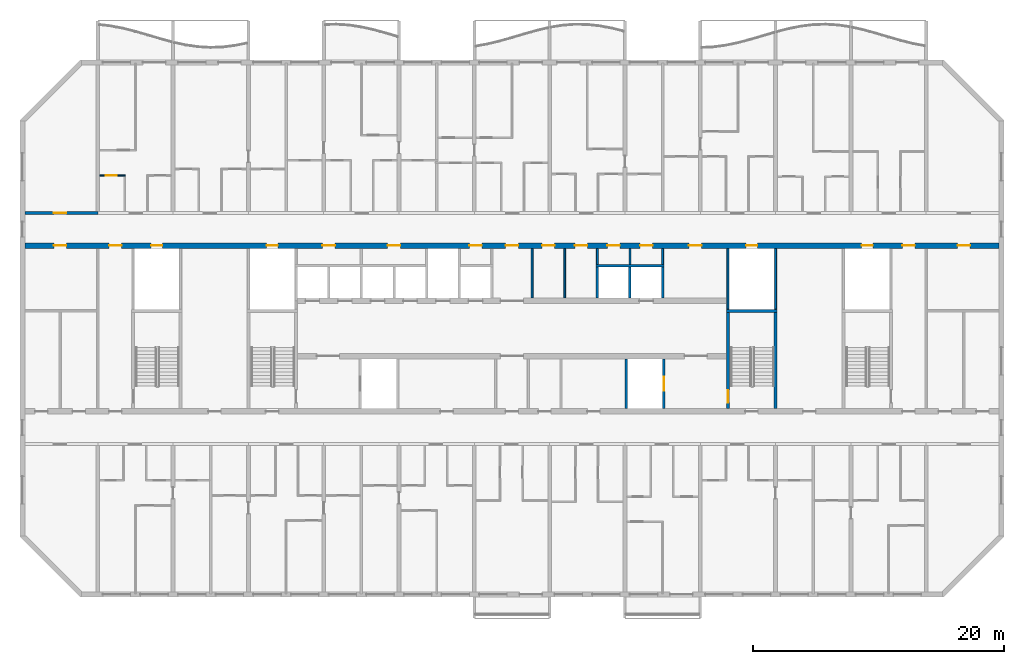
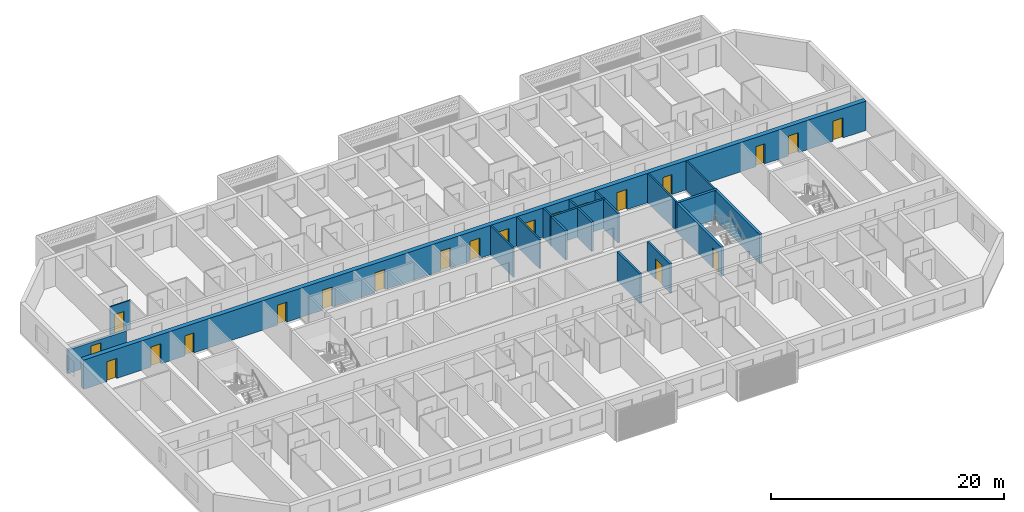
# One storey, part 7 of 31: 21 doors, 19 walls, 21 openings.
"""IFC4 building model written with IfcOpenShell, lengths in metres."""

from ifc_helpers import new_model, si_unit, direction, frame, frame_2d, origin, place, context, subcontext, project, spatial, rectangle, extrude, material, layer, layer_set, type_object, element, fill, save


model = new_model("IFC4")

# Units and contexts
model_context = context("Model", 3, precision=1e-05, world=origin(), true_north=direction((0.0, 1.0)))
body_context = subcontext(model_context, "Body", "Model", "MODEL_VIEW")
ifc_project = project(units=[si_unit("LENGTHUNIT", "METRE"), si_unit("AREAUNIT", "SQUARE_METRE"), si_unit("VOLUMEUNIT", "CUBIC_METRE"), si_unit("PLANEANGLEUNIT", "RADIAN"), si_unit("MASSUNIT", "GRAM", prefix="KILO")], contexts=[model_context])

# Site, building, storey
site_placement = place(None, origin())
site = spatial("IfcSite", under=ifc_project, at=site_placement, CompositionType="ELEMENT")
building_placement = place(site_placement, origin())
building = spatial("IfcBuilding", under=site, at=building_placement, Name="Poui Terraces", CompositionType="ELEMENT")
storey_placement = place(building_placement, frame((0.0, 0.0, 145.5)))
storey = spatial("IfcBuildingStorey", under=building, at=storey_placement, Name="L40", CompositionType="ELEMENT", Elevation=145.5)

# Wall
ifc_material_1 = material(Name="Fire-rated plasterboard wall")
ifc_layer_1 = layer(ifc_material_1, 0.14990234375)
ifc_layer_set_1 = layer_set([ifc_layer_1], Name="Fire-rated plasterboard wall")
wall_type_1 = type_object("IfcWallType", Name="CORRIDOR WALL 150", PredefinedType="PARTITIONING", material=ifc_layer_set_1)
wall_1_placement = place(storey_placement, frame((52.60009765625, 23.635009765625, 0.0), z_axis=(0.0, 0.0, 1.0), x_axis=(0.0, 1.0, 0.0)))
element("IfcWall", 1, at=wall_1_placement, inside=storey, type_object=wall_type_1, Name="CORRIDOR WALL 150", PredefinedType="PARTITIONING", context=body_context, shape_type="SweptSolid", body=[
    extrude(rectangle(XDim=3.929931640625, YDim=0.14990234375, at=frame_2d((1.96484375, 0.0))), origin(), (0.0, 0.0, 1.0), 3.070068359375),
])

# Wall, opening, door
ifc_material_2 = material(Name="Concrete 65 MPa", Category="concrete")
ifc_layer_2 = layer(ifc_material_2, 0.25)
ifc_layer_set_2 = layer_set([ifc_layer_2], Name="Concrete 65 MPa")
wall_type_2 = type_object("IfcWallType", Name="CORRIDOR WALL 250 65MPa", PredefinedType="SHEAR", material=ifc_layer_set_2)
wall_2_placement = place(storey_placement, frame((12.199951171875, 30.39990234375, 0.0), z_axis=(0.0, 0.0, 1.0), x_axis=(1.0, 0.0, 0.0)))
wall_2 = element("IfcWall", 2, at=wall_2_placement, inside=storey, type_object=wall_type_2, Name="CORRIDOR WALL LINE E BAY 1", PredefinedType="SHEAR", context=body_context, shape_type="SweptSolid", body=[
    extrude(rectangle(XDim=5.800048828125, YDim=0.25, at=frame_2d((2.89990234375, 0.0))), origin(), (0.0, 0.0, 1.0), 2.469970703125),
])
opening_1_placement = place(wall_2_placement, frame((2.300048828125, 0.0, 0.0)))
opening_1 = element("IfcOpeningElement", 3, at=opening_1_placement, cuts=wall_2, Name="Opening D100", PredefinedType="OPENING", context=body_context, shape_type="SweptSolid", body=[
    extrude(rectangle(XDim=1.0, YDim=2.10009765625, at=frame_2d((0.5, 1.050048828125))), frame((0.0, 0.135009765625, 0.0), z_axis=(0.0, -1.0, 0.0), x_axis=(1.0, 0.0, 0.0)), (0.0, 0.0, 1.0), 0.27001953125),
])
ifc_material_3 = material(Name="Solid core timber door", Category="wood")
door_type_1 = type_object("IfcDoorType", Name="ACCESSIBLE INTERNAL DOOR 1000 X 2100", OperationType="NOTDEFINED", PredefinedType="DOOR", material=ifc_material_3)
door_1_placement = place(opening_1_placement, origin())
door_1 = element("IfcDoor", 4, at=door_1_placement, inside=storey, type_object=door_type_1, Name="ACCESSIBLE INTERNAL DOOR 032", OperationType="SINGLE_SWING_LEFT", OverallHeight=2.10009765625, OverallWidth=1.0, PredefinedType="DOOR", context=body_context, shape_type="SweptSolid", body=[
    extrude(rectangle(XDim=1.0, YDim=2.10009765625, at=frame_2d((0.5, 1.050048828125))), frame((0.0, 0.02490234375, 0.0), z_axis=(0.0, -1.0, 0.0), x_axis=(1.0, 0.0, 0.0)), (0.0, 0.0, 1.0), 0.050048828125),
])
fill(opening_1, door_1)

ifc_material_4 = material(Name="Plasterboard partition")
ifc_layer_3 = layer(ifc_material_4, 0.10009765625)
ifc_layer_set_3 = layer_set([ifc_layer_3], Name="Plasterboard partition")
wall_type_3 = type_object("IfcWallType", Name="FLAT PARTITION 100", PredefinedType="PARTITIONING", material=ifc_layer_set_3)
wall_3_placement = place(storey_placement, frame((18.159912109375, 33.39990234375, 0.0), z_axis=(0.0, 0.0, 1.0), x_axis=(1.0, 0.0, 0.0)))
wall_3 = element("IfcWall", 5, at=wall_3_placement, inside=storey, type_object=wall_type_3, Name="FLAT PARTITION 100", PredefinedType="PARTITIONING", context=body_context, shape_type="SweptSolid", body=[
    extrude(rectangle(XDim=2.0400390625, YDim=0.10009765625, at=frame_2d((1.02001953125, 0.0))), origin(), (0.0, 0.0, 1.0), 3.070068359375),
])
opening_2_placement = place(wall_3_placement, frame((0.465087890625, 0.0, 0.0)))
opening_2 = element("IfcOpeningElement", 6, at=opening_2_placement, cuts=wall_3, Name="Opening D90", PredefinedType="OPENING", context=body_context, shape_type="SweptSolid", body=[
    extrude(rectangle(XDim=0.89990234375, YDim=2.10009765625, at=frame_2d((0.449951171875, 1.050048828125))), frame((0.0, 0.06005859375, 0.0), z_axis=(0.0, -1.0, 0.0), x_axis=(1.0, 0.0, 0.0)), (0.0, 0.0, 1.0), 0.1201171875),
])
door_type_2 = type_object("IfcDoorType", Name="INTERNAL DOOR 900 X 2100", OperationType="NOTDEFINED", PredefinedType="DOOR", material=ifc_material_3)
door_2_placement = place(opening_2_placement, frame((0.89990234375, 0.0, 0.0), z_axis=(0.0, 0.0, 1.0), x_axis=(-1.0, 0.0, 0.0)))
door_2 = element("IfcDoor", 7, at=door_2_placement, inside=storey, type_object=door_type_2, Name="INTERNAL DOOR 033", OperationType="SINGLE_SWING_LEFT", OverallHeight=2.10009765625, OverallWidth=0.89990234375, PredefinedType="DOOR", context=body_context, shape_type="SweptSolid", body=[
    extrude(rectangle(XDim=0.89990234375, YDim=2.10009765625, at=frame_2d((0.449951171875, 1.050048828125))), frame((0.0, 0.02490234375, 0.0), z_axis=(0.0, -1.0, 0.0), x_axis=(1.0, 0.0, 0.0)), (0.0, 0.0, 1.0), 0.050048828125),
])
fill(opening_2, door_2)

# Walls
ifc_layer_4 = layer(ifc_material_4, 0.14990234375)
ifc_layer_set_4 = layer_set([ifc_layer_4], Name="Plasterboard partition")
wall_type_4 = type_object("IfcWallType", Name="PARTITION WALL 150", PredefinedType="PARTITIONING", material=ifc_layer_set_4)
wall_4_placement = place(storey_placement, frame((55.199951171875, 23.635009765625, 0.0), z_axis=(0.0, 0.0, 1.0), x_axis=(0.0, 1.0, 0.0)))
element("IfcWall", 8, at=wall_4_placement, inside=storey, type_object=wall_type_4, Name="PARTITION WALL 150", PredefinedType="PARTITIONING", context=body_context, shape_type="SweptSolid", body=[
    extrude(rectangle(XDim=3.929931640625, YDim=0.14990234375, at=frame_2d((1.96484375, 0.0))), origin(), (0.0, 0.0, 1.0), 3.070068359375),
])
for number, where, z_axis, x_axis, name in (
    (9, (57.800048828125, 26.300048828125, 0.0), (0.0, 0.0, 1.0), (0.0, 1.0, 0.0), "PARTITION WALL 150"),
    (10, (60.39990234375, 26.300048828125, 0.0), (0.0, 0.0, 1.0), (0.0, 1.0, 0.0), "PARTITION WALL 150"),
    (11, (63.0, 26.300048828125, 0.0), (0.0, 0.0, 1.0), (0.0, 1.0, 0.0), "PARTITION WALL 150"),
):
    element("IfcWall", number, at=place(storey_placement, frame(where, z_axis=z_axis, x_axis=x_axis)), inside=storey, type_object=wall_type_4, Name=name, PredefinedType="PARTITIONING", context=body_context, shape_type="SweptSolid", body=[
        extrude(rectangle(XDim=1.264892578125, YDim=0.14990234375, at=frame_2d((0.63232421875, 0.0))), origin(), (0.0, 0.0, 1.0), 3.070068359375),
    ])
ifc_material_5 = material(Name="Fire-rated plasterboard riser wall")
ifc_layer_5 = layer(ifc_material_5, 0.14990234375)
ifc_layer_set_5 = layer_set([ifc_layer_5], Name="Fire-rated plasterboard riser wall")
wall_type_5 = type_object("IfcWallType", Name="RISER WALL 150", PredefinedType="PARTITIONING", material=ifc_layer_set_5)
for number, where, z_axis, x_axis, name in (
    (12, (68.199951171875, 22.735107421875, 0.0), (0.0, 0.0, 1.0), (0.0, 1.0, 0.0), "RISER WALL 150"),
    (13, (72.0, 22.735107421875, 0.0), (0.0, 0.0, 1.0), (0.0, 1.0, 0.0), "RISER WALL 150"),
):
    element("IfcWall", number, at=place(storey_placement, frame(where, z_axis=z_axis, x_axis=x_axis)), inside=storey, type_object=wall_type_5, Name=name, PredefinedType="PARTITIONING", context=body_context, shape_type="SweptSolid", body=[
        extrude(rectangle(XDim=4.829833984375, YDim=0.14990234375, at=frame_2d((2.4150390625, 0.0))), origin(), (0.0, 0.0, 1.0), 3.070068359375),
    ])
ifc_material_6 = material(Name="Fire-rated masonry shaft wall", Category="masonry")
ifc_layer_6 = layer(ifc_material_6, 0.199951171875)
ifc_layer_set_6 = layer_set([ifc_layer_6], Name="Fire-rated masonry shaft wall")
wall_type_6 = type_object("IfcWallType", Name="SHAFT WALL 200", PredefinedType="PARTITIONING", material=ifc_layer_set_6)
wall_5_placement = place(storey_placement, frame((57.699951171875, 26.199951171875, 0.0), z_axis=(0.0, 0.0, 1.0), x_axis=(1.0, 0.0, 0.0)))
element("IfcWall", 14, at=wall_5_placement, inside=storey, type_object=wall_type_6, Name="SHAFT WALL 200", PredefinedType="PARTITIONING", context=body_context, shape_type="SweptSolid", body=[
    extrude(rectangle(XDim=5.400146484375, YDim=0.199951171875, at=frame_2d((2.7001953125, 0.0))), origin(), (0.0, 0.0, 1.0), 3.070068359375),
])
wall_6_placement = place(storey_placement, frame((57.800048828125, 23.635009765625, 0.0), z_axis=(0.0, 0.0, 1.0), x_axis=(0.0, 1.0, 0.0)))
element("IfcWall", 15, at=wall_6_placement, inside=storey, type_object=wall_type_6, Name="SHAFT WALL 200", PredefinedType="PARTITIONING", context=body_context, shape_type="SweptSolid", body=[
    extrude(rectangle(XDim=2.465087890625, YDim=0.199951171875, at=frame_2d((1.232421875, 0.0))), origin(), (0.0, 0.0, 1.0), 3.070068359375),
])
wall_7_placement = place(storey_placement, frame((60.10009765625, 14.8349609375, 0.0), z_axis=(0.0, 0.0, 1.0), x_axis=(0.0, 1.0, 0.0)))
element("IfcWall", 16, at=wall_7_placement, inside=storey, type_object=wall_type_6, Name="SHAFT WALL 200", PredefinedType="PARTITIONING", context=body_context, shape_type="SweptSolid", body=[
    extrude(rectangle(XDim=3.929931640625, YDim=0.199951171875, at=frame_2d((1.96484375, 0.0))), origin(), (0.0, 0.0, 1.0), 3.070068359375),
])
for number, where, z_axis, x_axis, name in (
    (17, (60.39990234375, 23.635009765625, 0.0), (0.0, 0.0, 1.0), (0.0, 1.0, 0.0), "SHAFT WALL 200"),
    (18, (63.0, 23.635009765625, 0.0), (0.0, 0.0, 1.0), (0.0, 1.0, 0.0), "SHAFT WALL 200"),
):
    element("IfcWall", number, at=place(storey_placement, frame(where, z_axis=z_axis, x_axis=x_axis)), inside=storey, type_object=wall_type_6, Name=name, PredefinedType="PARTITIONING", context=body_context, shape_type="SweptSolid", body=[
        extrude(rectangle(XDim=2.465087890625, YDim=0.199951171875, at=frame_2d((1.232421875, 0.0))), origin(), (0.0, 0.0, 1.0), 3.070068359375),
    ])

# Wall, opening, door
wall_8_placement = place(storey_placement, frame((63.10009765625, 14.8349609375, 0.0), z_axis=(0.0, 0.0, 1.0), x_axis=(0.0, 1.0, 0.0)))
wall_8 = element("IfcWall", 19, at=wall_8_placement, inside=storey, type_object=wall_type_6, Name="SHAFT WALL 200", PredefinedType="PARTITIONING", context=body_context, shape_type="SweptSolid", body=[
    extrude(rectangle(XDim=3.929931640625, YDim=0.199951171875, at=frame_2d((1.96484375, 0.0))), origin(), (0.0, 0.0, 1.0), 3.070068359375),
])
opening_3_placement = place(wall_8_placement, frame((1.4150390625, 0.0, 0.0)))
opening_3 = element("IfcOpeningElement", 20, at=opening_3_placement, cuts=wall_8, Name="Opening LD", PredefinedType="OPENING", context=body_context, shape_type="SweptSolid", body=[
    extrude(rectangle(XDim=1.10009765625, YDim=2.10009765625, at=frame_2d((0.550048828125, 1.050048828125))), frame((0.0, 0.10986328125, 0.0), z_axis=(0.0, -1.0, 0.0), x_axis=(1.0, 0.0, 0.0)), (0.0, 0.0, 1.0), 0.219970703125),
])
ifc_material_7 = material(Name="Stainless steel sliding door", Category="steel")
door_type_3 = type_object("IfcDoorType", Name="LIFT LANDING DOOR 1100 X 2100", OperationType="DOUBLE_DOOR_SLIDING", PredefinedType="DOOR", material=ifc_material_7)
door_3_placement = place(opening_3_placement, origin())
door_3 = element("IfcDoor", 21, at=door_3_placement, inside=storey, type_object=door_type_3, Name="LANDING DOOR", OperationType="DOUBLE_DOOR_SLIDING", OverallHeight=2.10009765625, OverallWidth=1.10009765625, PredefinedType="DOOR", context=body_context, shape_type="SweptSolid", body=[
    extrude(rectangle(XDim=1.10009765625, YDim=2.10009765625, at=frame_2d((0.550048828125, 1.050048828125))), frame((0.0, 0.02490234375, 0.0), z_axis=(0.0, -1.0, 0.0), x_axis=(1.0, 0.0, 0.0)), (0.0, 0.0, 1.0), 0.050048828125),
])
fill(opening_3, door_3)

# Wall, openings, doors
ifc_layer_7 = layer(ifc_material_2, 0.449951171875)
ifc_layer_set_7 = layer_set([ifc_layer_7], Name="Concrete 65 MPa")
wall_type_7 = type_object("IfcWallType", Name="SPINE WALL 450 65 MPA", PredefinedType="SOLIDWALL", material=ifc_layer_set_7)
wall_9_placement = place(storey_placement, frame((12.199951171875, 27.800048828125, 0.0), z_axis=(0.0, 0.0, 1.0), x_axis=(1.0, 0.0, 0.0)))
wall_9 = element("IfcWall", 22, at=wall_9_placement, inside=storey, type_object=wall_type_7, Name="SPINE WALL", PredefinedType="SOLIDWALL", context=body_context, shape_type="SweptSolid", body=[
    extrude(rectangle(XDim=77.60009765625, YDim=0.449951171875, at=frame_2d((38.800048828125, 0.0))), origin(), (0.0, 0.0, 1.0), 3.070068359375),
])
opening_4_placement = place(wall_9_placement, frame((2.300048828125, 0.0, 0.0)))
opening_4 = element("IfcOpeningElement", 23, at=opening_4_placement, cuts=wall_9, Name="Opening FD60", PredefinedType="OPENING", context=body_context, shape_type="SweptSolid", body=[
    extrude(rectangle(XDim=1.0, YDim=2.10009765625, at=frame_2d((0.5, 1.050048828125))), frame((0.0, 0.23486328125, 0.0), z_axis=(0.0, -1.0, 0.0), x_axis=(1.0, 0.0, 0.0)), (0.0, 0.0, 1.0), 0.469970703125),
])
opening_5_placement = place(wall_9_placement, frame((6.699951171875, 0.0, 0.0)))
opening_5 = element("IfcOpeningElement", 24, at=opening_5_placement, cuts=wall_9, Name="Opening FDL", PredefinedType="OPENING", context=body_context, shape_type="SweptSolid", body=[
    extrude(rectangle(XDim=1.0, YDim=2.10009765625, at=frame_2d((0.5, 1.050048828125))), frame((0.0, 0.23486328125, 0.0), z_axis=(0.0, -1.0, 0.0), x_axis=(1.0, 0.0, 0.0)), (0.0, 0.0, 1.0), 0.469970703125),
])
opening_6_placement = place(wall_9_placement, frame((10.050048828125, 0.0, 0.0)))
opening_6 = element("IfcOpeningElement", 25, at=opening_6_placement, cuts=wall_9, Name="Opening FDR", PredefinedType="OPENING", context=body_context, shape_type="SweptSolid", body=[
    extrude(rectangle(XDim=0.89990234375, YDim=2.10009765625, at=frame_2d((0.449951171875, 1.050048828125))), frame((0.0, 0.23486328125, 0.0), z_axis=(0.0, -1.0, 0.0), x_axis=(1.0, 0.0, 0.0)), (0.0, 0.0, 1.0), 0.469970703125),
])
opening_7_placement = place(wall_9_placement, frame((19.25, 0.0, 0.0)))
opening_7 = element("IfcOpeningElement", 26, at=opening_7_placement, cuts=wall_9, Name="Opening FDR", PredefinedType="OPENING", context=body_context, shape_type="SweptSolid", body=[
    extrude(rectangle(XDim=0.89990234375, YDim=2.10009765625, at=frame_2d((0.449951171875, 1.050048828125))), frame((0.0, 0.23486328125, 0.0), z_axis=(0.0, -1.0, 0.0), x_axis=(1.0, 0.0, 0.0)), (0.0, 0.0, 1.0), 0.469970703125),
])
opening_8_placement = place(wall_9_placement, frame((23.699951171875, 0.0, 0.0)))
opening_8 = element("IfcOpeningElement", 27, at=opening_8_placement, cuts=wall_9, Name="Opening FD60", PredefinedType="OPENING", context=body_context, shape_type="SweptSolid", body=[
    extrude(rectangle(XDim=1.0, YDim=2.10009765625, at=frame_2d((0.5, 1.050048828125))), frame((0.0, 0.23486328125, 0.0), z_axis=(0.0, -1.0, 0.0), x_axis=(1.0, 0.0, 0.0)), (0.0, 0.0, 1.0), 0.469970703125),
])
opening_9_placement = place(wall_9_placement, frame((28.89990234375, 0.0, 0.0)))
opening_9 = element("IfcOpeningElement", 28, at=opening_9_placement, cuts=wall_9, Name="Opening FD60", PredefinedType="OPENING", context=body_context, shape_type="SweptSolid", body=[
    extrude(rectangle(XDim=1.0, YDim=2.10009765625, at=frame_2d((0.5, 1.050048828125))), frame((0.0, 0.23486328125, 0.0), z_axis=(0.0, -1.0, 0.0), x_axis=(1.0, 0.0, 0.0)), (0.0, 0.0, 1.0), 0.469970703125),
])
opening_10_placement = place(wall_9_placement, frame((35.39990234375, 0.0, 0.0)))
opening_10 = element("IfcOpeningElement", 29, at=opening_10_placement, cuts=wall_9, Name="Opening FD60", PredefinedType="OPENING", context=body_context, shape_type="SweptSolid", body=[
    extrude(rectangle(XDim=1.0, YDim=2.10009765625, at=frame_2d((0.5, 1.050048828125))), frame((0.0, 0.23486328125, 0.0), z_axis=(0.0, -1.0, 0.0), x_axis=(1.0, 0.0, 0.0)), (0.0, 0.0, 1.0), 0.469970703125),
])
opening_11_placement = place(wall_9_placement, frame((38.300048828125, 0.0, 0.0)))
opening_11 = element("IfcOpeningElement", 30, at=opening_11_placement, cuts=wall_9, Name="Opening FDL", PredefinedType="OPENING", context=body_context, shape_type="SweptSolid", body=[
    extrude(rectangle(XDim=1.0, YDim=2.10009765625, at=frame_2d((0.5, 1.050048828125))), frame((0.0, 0.23486328125, 0.0), z_axis=(0.0, -1.0, 0.0), x_axis=(1.0, 0.0, 0.0)), (0.0, 0.0, 1.0), 0.469970703125),
])
opening_12_placement = place(wall_9_placement, frame((41.199951171875, 0.0, 0.0)))
opening_12 = element("IfcOpeningElement", 31, at=opening_12_placement, cuts=wall_9, Name="Opening FD60", PredefinedType="OPENING", context=body_context, shape_type="SweptSolid", body=[
    extrude(rectangle(XDim=1.0, YDim=2.10009765625, at=frame_2d((0.5, 1.050048828125))), frame((0.0, 0.23486328125, 0.0), z_axis=(0.0, -1.0, 0.0), x_axis=(1.0, 0.0, 0.0)), (0.0, 0.0, 1.0), 0.469970703125),
])
opening_13_placement = place(wall_9_placement, frame((43.800048828125, 0.0, 0.0)))
opening_13 = element("IfcOpeningElement", 32, at=opening_13_placement, cuts=wall_9, Name="Opening FD60", PredefinedType="OPENING", context=body_context, shape_type="SweptSolid", body=[
    extrude(rectangle(XDim=1.0, YDim=2.10009765625, at=frame_2d((0.5, 1.050048828125))), frame((0.0, 0.23486328125, 0.0), z_axis=(0.0, -1.0, 0.0), x_axis=(1.0, 0.0, 0.0)), (0.0, 0.0, 1.0), 0.469970703125),
])
opening_14_placement = place(wall_9_placement, frame((46.39990234375, 0.0, 0.0)))
opening_14 = element("IfcOpeningElement", 33, at=opening_14_placement, cuts=wall_9, Name="Opening FD60", PredefinedType="OPENING", context=body_context, shape_type="SweptSolid", body=[
    extrude(rectangle(XDim=1.0, YDim=2.10009765625, at=frame_2d((0.5, 1.050048828125))), frame((0.0, 0.23486328125, 0.0), z_axis=(0.0, -1.0, 0.0), x_axis=(1.0, 0.0, 0.0)), (0.0, 0.0, 1.0), 0.469970703125),
])
opening_15_placement = place(wall_9_placement, frame((49.0, 0.0, 0.0)))
opening_15 = element("IfcOpeningElement", 34, at=opening_15_placement, cuts=wall_9, Name="Opening FD60", PredefinedType="OPENING", context=body_context, shape_type="SweptSolid", body=[
    extrude(rectangle(XDim=1.0, YDim=2.10009765625, at=frame_2d((0.5, 1.050048828125))), frame((0.0, 0.23486328125, 0.0), z_axis=(0.0, -1.0, 0.0), x_axis=(1.0, 0.0, 0.0)), (0.0, 0.0, 1.0), 0.469970703125),
])
opening_16_placement = place(wall_9_placement, frame((52.89990234375, 0.0, 0.0)))
opening_16 = element("IfcOpeningElement", 35, at=opening_16_placement, cuts=wall_9, Name="Opening FD60", PredefinedType="OPENING", context=body_context, shape_type="SweptSolid", body=[
    extrude(rectangle(XDim=1.0, YDim=2.10009765625, at=frame_2d((0.5, 1.050048828125))), frame((0.0, 0.23486328125, 0.0), z_axis=(0.0, -1.0, 0.0), x_axis=(1.0, 0.0, 0.0)), (0.0, 0.0, 1.0), 0.469970703125),
])
opening_17_placement = place(wall_9_placement, frame((57.449951171875, 0.0, 0.0)))
opening_17 = element("IfcOpeningElement", 36, at=opening_17_placement, cuts=wall_9, Name="Opening FDR", PredefinedType="OPENING", context=body_context, shape_type="SweptSolid", body=[
    extrude(rectangle(XDim=0.89990234375, YDim=2.10009765625, at=frame_2d((0.449951171875, 1.050048828125))), frame((0.0, 0.23486328125, 0.0), z_axis=(0.0, -1.0, 0.0), x_axis=(1.0, 0.0, 0.0)), (0.0, 0.0, 1.0), 0.469970703125),
])
opening_18_placement = place(wall_9_placement, frame((66.64990234375, 0.0, 0.0)))
opening_18 = element("IfcOpeningElement", 37, at=opening_18_placement, cuts=wall_9, Name="Opening FDR", PredefinedType="OPENING", context=body_context, shape_type="SweptSolid", body=[
    extrude(rectangle(XDim=0.89990234375, YDim=2.10009765625, at=frame_2d((0.449951171875, 1.050048828125))), frame((0.0, 0.23486328125, 0.0), z_axis=(0.0, -1.0, 0.0), x_axis=(1.0, 0.0, 0.0)), (0.0, 0.0, 1.0), 0.469970703125),
])
opening_19_placement = place(wall_9_placement, frame((69.89990234375, 0.0, 0.0)))
opening_19 = element("IfcOpeningElement", 38, at=opening_19_placement, cuts=wall_9, Name="Opening FDL", PredefinedType="OPENING", context=body_context, shape_type="SweptSolid", body=[
    extrude(rectangle(XDim=1.0, YDim=2.10009765625, at=frame_2d((0.5, 1.050048828125))), frame((0.0, 0.23486328125, 0.0), z_axis=(0.0, -1.0, 0.0), x_axis=(1.0, 0.0, 0.0)), (0.0, 0.0, 1.0), 0.469970703125),
])
opening_20_placement = place(wall_9_placement, frame((74.300048828125, 0.0, 0.0)))
opening_20 = element("IfcOpeningElement", 39, at=opening_20_placement, cuts=wall_9, Name="Opening FD60", PredefinedType="OPENING", context=body_context, shape_type="SweptSolid", body=[
    extrude(rectangle(XDim=1.0, YDim=2.10009765625, at=frame_2d((0.5, 1.050048828125))), frame((0.0, 0.23486328125, 0.0), z_axis=(0.0, -1.0, 0.0), x_axis=(1.0, 0.0, 0.0)), (0.0, 0.0, 1.0), 0.469970703125),
])
ifc_material_8 = material(Name="Steel fire door", Category="steel")
door_type_4 = type_object("IfcDoorType", Name="LOBBY FIRE DOOR 1000 X 2100", OperationType="NOTDEFINED", PredefinedType="DOOR", material=ifc_material_8)
door_4_placement = place(opening_5_placement, origin())
door_4 = element("IfcDoor", 40, at=door_4_placement, inside=storey, type_object=door_type_4, Name="LOBBY FIRE DOOR 002", OperationType="SINGLE_SWING_LEFT", OverallHeight=2.10009765625, OverallWidth=1.0, PredefinedType="DOOR", context=body_context, shape_type="SweptSolid", body=[
    extrude(rectangle(XDim=1.0, YDim=2.10009765625, at=frame_2d((0.5, 1.050048828125))), frame((0.0, 0.02490234375, 0.0), z_axis=(0.0, -1.0, 0.0), x_axis=(1.0, 0.0, 0.0)), (0.0, 0.0, 1.0), 0.050048828125),
])
fill(opening_5, door_4)
door_5_placement = place(opening_11_placement, origin())
door_5 = element("IfcDoor", 41, at=door_5_placement, inside=storey, type_object=door_type_4, Name="LOBBY FIRE DOOR 008", OperationType="SINGLE_SWING_RIGHT", OverallHeight=2.10009765625, OverallWidth=1.0, PredefinedType="DOOR", context=body_context, shape_type="SweptSolid", body=[
    extrude(rectangle(XDim=1.0, YDim=2.10009765625, at=frame_2d((0.5, 1.050048828125))), frame((0.0, 0.02490234375, 0.0), z_axis=(0.0, -1.0, 0.0), x_axis=(1.0, 0.0, 0.0)), (0.0, 0.0, 1.0), 0.050048828125),
])
fill(opening_11, door_5)
door_6_placement = place(opening_19_placement, origin())
door_6 = element("IfcDoor", 42, at=door_6_placement, inside=storey, type_object=door_type_4, Name="LOBBY FIRE DOOR 016", OperationType="SINGLE_SWING_RIGHT", OverallHeight=2.10009765625, OverallWidth=1.0, PredefinedType="DOOR", context=body_context, shape_type="SweptSolid", body=[
    extrude(rectangle(XDim=1.0, YDim=2.10009765625, at=frame_2d((0.5, 1.050048828125))), frame((0.0, 0.02490234375, 0.0), z_axis=(0.0, -1.0, 0.0), x_axis=(1.0, 0.0, 0.0)), (0.0, 0.0, 1.0), 0.050048828125),
])
fill(opening_19, door_6)
door_type_5 = type_object("IfcDoorType", Name="RISER CUPBOARD DOOR 900 X 2100", OperationType="NOTDEFINED", PredefinedType="DOOR", material=ifc_material_8)
door_7_placement = place(opening_6_placement, origin())
door_7 = element("IfcDoor", 43, at=door_7_placement, inside=storey, type_object=door_type_5, Name="RISER CUPBOARD DOOR 003", OperationType="SINGLE_SWING_LEFT", OverallHeight=2.10009765625, OverallWidth=0.89990234375, PredefinedType="DOOR", context=body_context, shape_type="SweptSolid", body=[
    extrude(rectangle(XDim=0.89990234375, YDim=2.10009765625, at=frame_2d((0.449951171875, 1.050048828125))), frame((0.0, 0.02490234375, 0.0), z_axis=(0.0, -1.0, 0.0), x_axis=(1.0, 0.0, 0.0)), (0.0, 0.0, 1.0), 0.050048828125),
])
fill(opening_6, door_7)
door_8_placement = place(opening_7_placement, origin())
door_8 = element("IfcDoor", 44, at=door_8_placement, inside=storey, type_object=door_type_5, Name="RISER CUPBOARD DOOR 004", OperationType="SINGLE_SWING_LEFT", OverallHeight=2.10009765625, OverallWidth=0.89990234375, PredefinedType="DOOR", context=body_context, shape_type="SweptSolid", body=[
    extrude(rectangle(XDim=0.89990234375, YDim=2.10009765625, at=frame_2d((0.449951171875, 1.050048828125))), frame((0.0, 0.02490234375, 0.0), z_axis=(0.0, -1.0, 0.0), x_axis=(1.0, 0.0, 0.0)), (0.0, 0.0, 1.0), 0.050048828125),
])
fill(opening_7, door_8)
door_9_placement = place(opening_17_placement, origin())
door_9 = element("IfcDoor", 45, at=door_9_placement, inside=storey, type_object=door_type_5, Name="RISER CUPBOARD DOOR 014", OperationType="SINGLE_SWING_RIGHT", OverallHeight=2.10009765625, OverallWidth=0.89990234375, PredefinedType="DOOR", context=body_context, shape_type="SweptSolid", body=[
    extrude(rectangle(XDim=0.89990234375, YDim=2.10009765625, at=frame_2d((0.449951171875, 1.050048828125))), frame((0.0, 0.02490234375, 0.0), z_axis=(0.0, -1.0, 0.0), x_axis=(1.0, 0.0, 0.0)), (0.0, 0.0, 1.0), 0.050048828125),
])
fill(opening_17, door_9)
door_10_placement = place(opening_18_placement, origin())
door_10 = element("IfcDoor", 46, at=door_10_placement, inside=storey, type_object=door_type_5, Name="RISER CUPBOARD DOOR 015", OperationType="SINGLE_SWING_RIGHT", OverallHeight=2.10009765625, OverallWidth=0.89990234375, PredefinedType="DOOR", context=body_context, shape_type="SweptSolid", body=[
    extrude(rectangle(XDim=0.89990234375, YDim=2.10009765625, at=frame_2d((0.449951171875, 1.050048828125))), frame((0.0, 0.02490234375, 0.0), z_axis=(0.0, -1.0, 0.0), x_axis=(1.0, 0.0, 0.0)), (0.0, 0.0, 1.0), 0.050048828125),
])
fill(opening_18, door_10)
door_type_6 = type_object("IfcDoorType", Name="SERVICE ROOM FIRE DOOR 1000 X 2100", OperationType="NOTDEFINED", PredefinedType="DOOR", material=ifc_material_8)
door_11_placement = place(opening_4_placement, origin())
door_11 = element("IfcDoor", 47, at=door_11_placement, inside=storey, type_object=door_type_6, Name="SERVICE ROOM FIRE DOOR 001", OperationType="SINGLE_SWING_RIGHT", OverallHeight=2.10009765625, OverallWidth=1.0, PredefinedType="DOOR", context=body_context, shape_type="SweptSolid", body=[
    extrude(rectangle(XDim=1.0, YDim=2.10009765625, at=frame_2d((0.5, 1.050048828125))), frame((0.0, 0.02490234375, 0.0), z_axis=(0.0, -1.0, 0.0), x_axis=(1.0, 0.0, 0.0)), (0.0, 0.0, 1.0), 0.050048828125),
])
fill(opening_4, door_11)
door_12_placement = place(opening_8_placement, origin())
door_12 = element("IfcDoor", 48, at=door_12_placement, inside=storey, type_object=door_type_6, Name="SERVICE ROOM FIRE DOOR 005", OperationType="SINGLE_SWING_RIGHT", OverallHeight=2.10009765625, OverallWidth=1.0, PredefinedType="DOOR", context=body_context, shape_type="SweptSolid", body=[
    extrude(rectangle(XDim=1.0, YDim=2.10009765625, at=frame_2d((0.5, 1.050048828125))), frame((0.0, 0.02490234375, 0.0), z_axis=(0.0, -1.0, 0.0), x_axis=(1.0, 0.0, 0.0)), (0.0, 0.0, 1.0), 0.050048828125),
])
fill(opening_8, door_12)
door_13_placement = place(opening_9_placement, origin())
door_13 = element("IfcDoor", 49, at=door_13_placement, inside=storey, type_object=door_type_6, Name="SERVICE ROOM FIRE DOOR 006", OperationType="SINGLE_SWING_LEFT", OverallHeight=2.10009765625, OverallWidth=1.0, PredefinedType="DOOR", context=body_context, shape_type="SweptSolid", body=[
    extrude(rectangle(XDim=1.0, YDim=2.10009765625, at=frame_2d((0.5, 1.050048828125))), frame((0.0, 0.02490234375, 0.0), z_axis=(0.0, -1.0, 0.0), x_axis=(1.0, 0.0, 0.0)), (0.0, 0.0, 1.0), 0.050048828125),
])
fill(opening_9, door_13)
door_14_placement = place(opening_10_placement, origin())
door_14 = element("IfcDoor", 50, at=door_14_placement, inside=storey, type_object=door_type_6, Name="SERVICE ROOM FIRE DOOR 007", OperationType="SINGLE_SWING_RIGHT", OverallHeight=2.10009765625, OverallWidth=1.0, PredefinedType="DOOR", context=body_context, shape_type="SweptSolid", body=[
    extrude(rectangle(XDim=1.0, YDim=2.10009765625, at=frame_2d((0.5, 1.050048828125))), frame((0.0, 0.02490234375, 0.0), z_axis=(0.0, -1.0, 0.0), x_axis=(1.0, 0.0, 0.0)), (0.0, 0.0, 1.0), 0.050048828125),
])
fill(opening_10, door_14)
door_15_placement = place(opening_12_placement, origin())
door_15 = element("IfcDoor", 51, at=door_15_placement, inside=storey, type_object=door_type_6, Name="SERVICE ROOM FIRE DOOR 009", OperationType="SINGLE_SWING_LEFT", OverallHeight=2.10009765625, OverallWidth=1.0, PredefinedType="DOOR", context=body_context, shape_type="SweptSolid", body=[
    extrude(rectangle(XDim=1.0, YDim=2.10009765625, at=frame_2d((0.5, 1.050048828125))), frame((0.0, 0.02490234375, 0.0), z_axis=(0.0, -1.0, 0.0), x_axis=(1.0, 0.0, 0.0)), (0.0, 0.0, 1.0), 0.050048828125),
])
fill(opening_12, door_15)
door_16_placement = place(opening_13_placement, origin())
door_16 = element("IfcDoor", 52, at=door_16_placement, inside=storey, type_object=door_type_6, Name="SERVICE ROOM FIRE DOOR 010", OperationType="SINGLE_SWING_RIGHT", OverallHeight=2.10009765625, OverallWidth=1.0, PredefinedType="DOOR", context=body_context, shape_type="SweptSolid", body=[
    extrude(rectangle(XDim=1.0, YDim=2.10009765625, at=frame_2d((0.5, 1.050048828125))), frame((0.0, 0.02490234375, 0.0), z_axis=(0.0, -1.0, 0.0), x_axis=(1.0, 0.0, 0.0)), (0.0, 0.0, 1.0), 0.050048828125),
])
fill(opening_13, door_16)
door_17_placement = place(opening_14_placement, origin())
door_17 = element("IfcDoor", 53, at=door_17_placement, inside=storey, type_object=door_type_6, Name="SERVICE ROOM FIRE DOOR 011", OperationType="SINGLE_SWING_LEFT", OverallHeight=2.10009765625, OverallWidth=1.0, PredefinedType="DOOR", context=body_context, shape_type="SweptSolid", body=[
    extrude(rectangle(XDim=1.0, YDim=2.10009765625, at=frame_2d((0.5, 1.050048828125))), frame((0.0, 0.02490234375, 0.0), z_axis=(0.0, -1.0, 0.0), x_axis=(1.0, 0.0, 0.0)), (0.0, 0.0, 1.0), 0.050048828125),
])
fill(opening_14, door_17)
door_18_placement = place(opening_15_placement, origin())
door_18 = element("IfcDoor", 54, at=door_18_placement, inside=storey, type_object=door_type_6, Name="SERVICE ROOM FIRE DOOR 012", OperationType="SINGLE_SWING_RIGHT", OverallHeight=2.10009765625, OverallWidth=1.0, PredefinedType="DOOR", context=body_context, shape_type="SweptSolid", body=[
    extrude(rectangle(XDim=1.0, YDim=2.10009765625, at=frame_2d((0.5, 1.050048828125))), frame((0.0, 0.02490234375, 0.0), z_axis=(0.0, -1.0, 0.0), x_axis=(1.0, 0.0, 0.0)), (0.0, 0.0, 1.0), 0.050048828125),
])
fill(opening_15, door_18)
door_19_placement = place(opening_16_placement, origin())
door_19 = element("IfcDoor", 55, at=door_19_placement, inside=storey, type_object=door_type_6, Name="SERVICE ROOM FIRE DOOR 013", OperationType="SINGLE_SWING_LEFT", OverallHeight=2.10009765625, OverallWidth=1.0, PredefinedType="DOOR", context=body_context, shape_type="SweptSolid", body=[
    extrude(rectangle(XDim=1.0, YDim=2.10009765625, at=frame_2d((0.5, 1.050048828125))), frame((0.0, 0.02490234375, 0.0), z_axis=(0.0, -1.0, 0.0), x_axis=(1.0, 0.0, 0.0)), (0.0, 0.0, 1.0), 0.050048828125),
])
fill(opening_16, door_19)
door_20_placement = place(opening_20_placement, origin())
door_20 = element("IfcDoor", 56, at=door_20_placement, inside=storey, type_object=door_type_6, Name="SERVICE ROOM FIRE DOOR 017", OperationType="SINGLE_SWING_LEFT", OverallHeight=2.10009765625, OverallWidth=1.0, PredefinedType="DOOR", context=body_context, shape_type="SweptSolid", body=[
    extrude(rectangle(XDim=1.0, YDim=2.10009765625, at=frame_2d((0.5, 1.050048828125))), frame((0.0, 0.02490234375, 0.0), z_axis=(0.0, -1.0, 0.0), x_axis=(1.0, 0.0, 0.0)), (0.0, 0.0, 1.0), 0.050048828125),
])
fill(opening_20, door_20)

# Wall, opening, door
ifc_layer_8 = layer(ifc_material_2, 0.25)
ifc_layer_set_8 = layer_set([ifc_layer_8], Name="Concrete 65 MPa")
wall_type_8 = type_object("IfcWallType", Name="STAIR CORE WALL 250 65 MPA", PredefinedType="SOLIDWALL", material=ifc_layer_set_8)
wall_10_placement = place(storey_placement, frame((68.199951171875, 14.824951171875, 0.0), z_axis=(0.0, 0.0, 1.0), x_axis=(0.0, 1.0, 0.0)))
wall_10 = element("IfcWall", 57, at=wall_10_placement, inside=storey, type_object=wall_type_8, Name="STAIR CORE WALL", PredefinedType="SOLIDWALL", context=body_context, shape_type="SweptSolid", body=[
    extrude(rectangle(XDim=7.650146484375, YDim=0.25, at=frame_2d((3.8251953125, 0.0))), origin(), (0.0, 0.0, 1.0), 3.070068359375),
])
opening_21_placement = place(wall_10_placement, frame((0.47509765625, 0.0, 0.0)))
opening_21 = element("IfcOpeningElement", 58, at=opening_21_placement, cuts=wall_10, Name="Opening FD60S", PredefinedType="OPENING", context=body_context, shape_type="SweptSolid", body=[
    extrude(rectangle(XDim=1.0, YDim=2.10009765625, at=frame_2d((0.5, 1.050048828125))), frame((0.0, 0.135009765625, 0.0), z_axis=(0.0, -1.0, 0.0), x_axis=(1.0, 0.0, 0.0)), (0.0, 0.0, 1.0), 0.27001953125),
])
door_type_7 = type_object("IfcDoorType", Name="STAIR DOOR 1000 X 2100", OperationType="NOTDEFINED", PredefinedType="DOOR", material=ifc_material_8)
door_21_placement = place(opening_21_placement, frame((1.0, 0.0, 0.0), z_axis=(0.0, 0.0, 1.0), x_axis=(-1.0, 0.0, 0.0)))
door_21 = element("IfcDoor", 59, at=door_21_placement, inside=storey, type_object=door_type_7, Name="STAIR DOOR 121", OperationType="SINGLE_SWING_LEFT", OverallHeight=2.10009765625, OverallWidth=1.0, PredefinedType="DOOR", context=body_context, shape_type="SweptSolid", body=[
    extrude(rectangle(XDim=1.0, YDim=2.10009765625, at=frame_2d((0.5, 1.050048828125))), frame((0.0, 0.02490234375, 0.0), z_axis=(0.0, -1.0, 0.0), x_axis=(1.0, 0.0, 0.0)), (0.0, 0.0, 1.0), 0.050048828125),
])
fill(opening_21, door_21)

# Walls
wall_11_placement = place(storey_placement, frame((72.0, 14.824951171875, 0.0), z_axis=(0.0, 0.0, 1.0), x_axis=(0.0, 1.0, 0.0)))
element("IfcWall", 60, at=wall_11_placement, inside=storey, type_object=wall_type_8, Name="STAIR CORE WALL", PredefinedType="SOLIDWALL", context=body_context, shape_type="SweptSolid", body=[
    extrude(rectangle(XDim=7.650146484375, YDim=0.25, at=frame_2d((3.8251953125, 0.0))), origin(), (0.0, 0.0, 1.0), 3.070068359375),
])
wall_12_placement = place(storey_placement, frame((68.074951171875, 22.60009765625, 0.0), z_axis=(0.0, 0.0, 1.0), x_axis=(1.0, 0.0, 0.0)))
element("IfcWall", 61, at=wall_12_placement, inside=storey, type_object=wall_type_8, Name="STAIR CORE WALL", PredefinedType="SOLIDWALL", context=body_context, shape_type="SweptSolid", body=[
    extrude(rectangle(XDim=4.050048828125, YDim=0.25, at=frame_2d((2.02490234375, 0.0))), origin(), (0.0, 0.0, 1.0), 3.070068359375),
])

save(model, "model.ifc")
